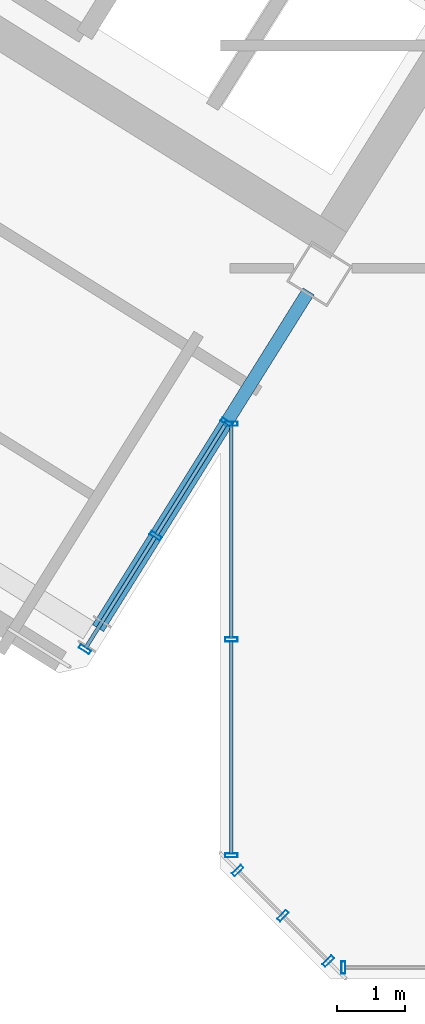
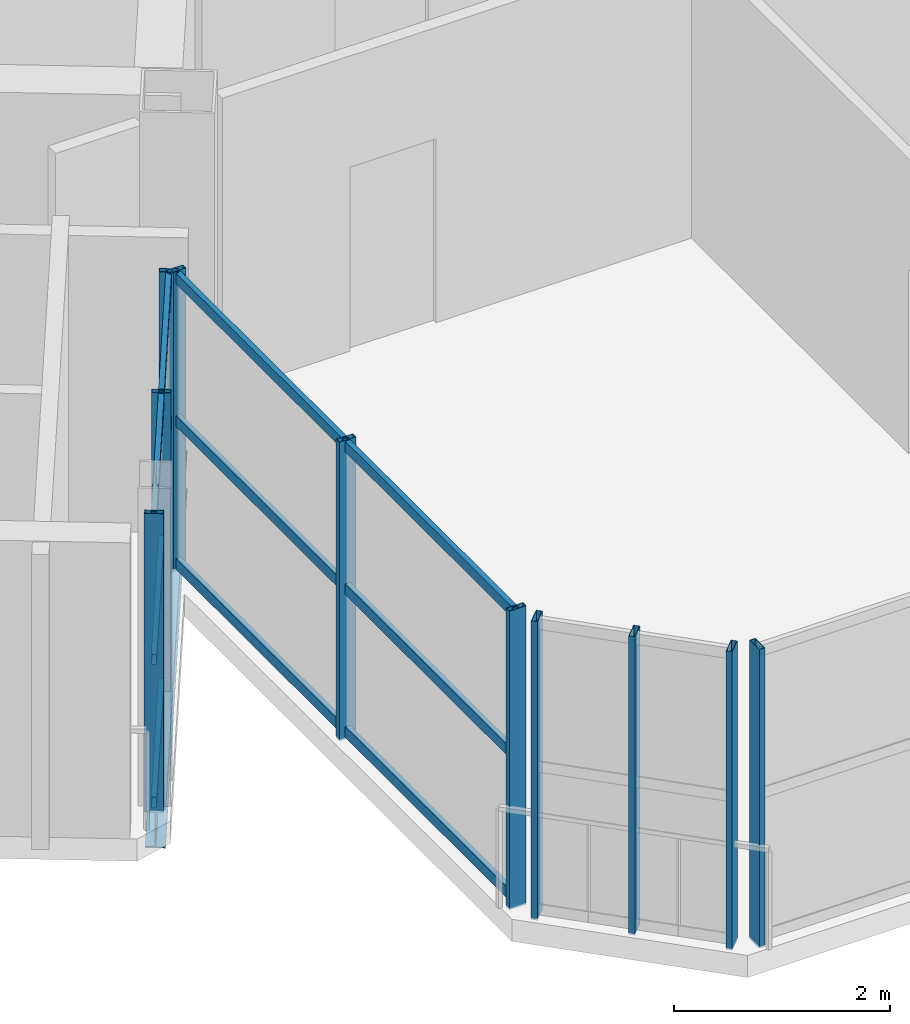
# One storey, part 3 of 14: 22 members, 1 beam, 4 elements without a shape of their own.
"""IFC4 building model written with IfcOpenShell, lengths in metres."""

import ifcopenshell
import ifcopenshell.guid

model = None  # the IFC model being written
_history = None  # IfcOwnerHistory: only IFC2X3 demands one
_inside = {}  # id of a spatial element -> (the spatial element, [elements in it])
_under = {}  # id of a project, library or spatial element -> (it, [spatial elements below it])
_declared = {}  # id of a project -> (the project, [libraries it declares])
_typed = {}  # id of a type object -> (the type object, [elements of that type])
_made_of = {}  # id of a material, layer set ... -> (it, [elements and type objects made of it])


def new_model(schema):
    """Start an empty IFC model of exactly this schema.

    Asked for "IFC4X3", IfcOpenShell would pick the latest addendum, in which some entities
    have other attributes; the version numbers below select the first issue.
    IFC2X3 requires an IfcOwnerHistory on every rooted entity: one is made here for all.
    """
    global model, _history
    if schema == "IFC4X3":
        model = ifcopenshell.file(schema_version=(4, 3, 0, 0))
    else:
        model = ifcopenshell.file(schema=schema)
    _inside.clear()
    _under.clear()
    _declared.clear()
    _typed.clear()
    _made_of.clear()
    _history = None
    if model.schema == "IFC2X3":
        org = make("IfcOrganization", Name="unknown")
        user = make(
            "IfcPersonAndOrganization",
            ThePerson=make("IfcPerson", FamilyName="unknown"),
            TheOrganization=org,
        )
        app = make(
            "IfcApplication",
            ApplicationDeveloper=org,
            Version="unknown",
            ApplicationFullName="unknown",
            ApplicationIdentifier="unknown",
        )
        _history = make(
            "IfcOwnerHistory",
            OwningUser=user,
            OwningApplication=app,
            ChangeAction="ADDED",
            CreationDate=0,
        )
    return model


def make(cls, **values):
    """One entity of the class cls with the attributes given. An attribute that is None is left unset."""
    return model.create_entity(
        cls, **{name: value for name, value in values.items() if value is not None}
    )


def rooted(cls, **values):
    """An entity with a GlobalId (a new one), such as an element, a storey or a relation."""
    return make(cls, GlobalId=ifcopenshell.guid.new(), OwnerHistory=_history, **values)


def si_unit(unit_type, name, prefix=None):
    """IfcSIUnit, for example si_unit("LENGTHUNIT", "METRE", prefix="MILLI")."""
    return make("IfcSIUnit", UnitType=unit_type, Prefix=prefix, Name=name)


def assignment(units):
    """IfcUnitAssignment: the units of a project."""
    return None if units is None else make("IfcUnitAssignment", Units=units)


def point(xyz):
    """IfcCartesianPoint."""
    return None if xyz is None else make("IfcCartesianPoint", Coordinates=xyz)


def direction(xyz):
    """IfcDirection."""
    return None if xyz is None else make("IfcDirection", DirectionRatios=xyz)


def frame(location, z_axis=None, x_axis=None):
    """IfcAxis2Placement3D, a coordinate frame: its origin and axes. An axis left out is left unset."""
    return make(
        "IfcAxis2Placement3D",
        Location=point(location),
        Axis=direction(z_axis),
        RefDirection=direction(x_axis),
    )


def frame_2d(location, x_axis=None):
    """IfcAxis2Placement2D, a coordinate frame in the plane: its origin and x axis."""
    return make(
        "IfcAxis2Placement2D", Location=point(location), RefDirection=direction(x_axis)
    )


def origin():
    """The frame at (0, 0, 0) with its axes left unset."""
    return frame((0.0, 0.0, 0.0))


def origin_2d():
    """The frame at (0, 0) in the plane with its x axis left unset."""
    return frame_2d((0.0, 0.0))


def place(relative_to, where):
    """IfcLocalPlacement: puts the frame where relative to a parent placement (None: the world)."""
    return make(
        "IfcLocalPlacement", PlacementRelTo=relative_to, RelativePlacement=where
    )


def context(
    kind, dimensions, precision=None, world=None, true_north=None, identifier=None
):
    """IfcGeometricRepresentationContext, for example the 3D "Model" context."""
    return make(
        "IfcGeometricRepresentationContext",
        ContextIdentifier=identifier,
        ContextType=kind,
        CoordinateSpaceDimension=dimensions,
        Precision=precision,
        WorldCoordinateSystem=world,
        TrueNorth=true_north,
    )


def subcontext(parent, identifier, kind, view, scale=None):
    """IfcGeometricRepresentationSubContext, for example "Body" below "Model"."""
    return make(
        "IfcGeometricRepresentationSubContext",
        ContextIdentifier=identifier,
        ContextType=kind,
        ParentContext=parent,
        TargetScale=scale,
        TargetView=view,
    )


def project(units=None, contexts=None):
    """IfcProject with its units and contexts."""
    return rooted(
        "IfcProject",
        Name="project",
        RepresentationContexts=contexts,
        UnitsInContext=assignment(units),
    )


def spatial(cls, under=None, at=None, **own):
    """A site, building, storey or space (cls), placed at a placement, below another one or the project."""
    s = rooted(cls, ObjectPlacement=at, **own)
    if under is not None:
        _under.setdefault(under.id(), (under, []))[1].append(s)
    return s


def profile(cls, at=None, kind="AREA", **sizes):
    """A parametric profile (cls). Its sizes go by their IFC names, for example OverallWidth=200.0."""
    return make(cls, ProfileType=kind, Position=at, **sizes)


def hollow_rectangle(**sizes):
    """IfcRectangleHollowProfileDef."""
    return profile("IfcRectangleHollowProfileDef", **sizes)


def i_section(**sizes):
    """IfcIShapeProfileDef."""
    return profile("IfcIShapeProfileDef", **sizes)


def extrude(swept, where, along, depth):
    """IfcExtrudedAreaSolid: the profile swept, set in the frame where, extruded along a direction by depth."""
    return make(
        "IfcExtrudedAreaSolid",
        SweptArea=swept,
        Position=where,
        ExtrudedDirection=direction(along),
        Depth=depth,
    )


def shape(context_of_items, identifier, shape_type, items):
    """IfcShapeRepresentation: the items that make up one representation, for example the "Body"."""
    return make(
        "IfcShapeRepresentation",
        ContextOfItems=context_of_items,
        RepresentationIdentifier=identifier,
        RepresentationType=shape_type,
        Items=items,
    )


def source(mapping_origin, context_of_items, identifier, shape_type, items):
    """IfcRepresentationMap: a shape defined once, which mapped items show again and again."""
    return make(
        "IfcRepresentationMap",
        MappingOrigin=mapping_origin,
        MappedRepresentation=shape(context_of_items, identifier, shape_type, items),
    )


def transform(
    local_origin,
    x_axis=None,
    y_axis=None,
    z_axis=None,
    scale=None,
    scale2=None,
    scale3=None,
    uniform=True,
):
    """IfcCartesianTransformationOperator3D, or its non-uniform kind. x_axis, y_axis, z_axis: its Axis1, 2, 3."""
    if uniform:
        return make(
            "IfcCartesianTransformationOperator3D",
            Axis1=direction(x_axis),
            Axis2=direction(y_axis),
            LocalOrigin=point(local_origin),
            Scale=scale,
            Axis3=direction(z_axis),
        )
    return make(
        "IfcCartesianTransformationOperator3DnonUniform",
        Axis1=direction(x_axis),
        Axis2=direction(y_axis),
        LocalOrigin=point(local_origin),
        Scale=scale,
        Axis3=direction(z_axis),
        Scale2=scale2,
        Scale3=scale3,
    )


def mapped(mapping_source, mapping_target):
    """IfcMappedItem: shows the shape of a source again, moved by a transform."""
    return make(
        "IfcMappedItem", MappingSource=mapping_source, MappingTarget=mapping_target
    )


def material(Name=None, Category=None):
    """IfcMaterial."""
    return make("IfcMaterial", Name=Name, Category=Category)


def material_profile(
    of_material, cross_section, Name=None, Category=None, Priority=None
):
    """IfcMaterialProfile: a cross section and its material."""
    return make(
        "IfcMaterialProfile",
        Name=Name,
        Material=of_material,
        Profile=cross_section,
        Priority=Priority,
        Category=Category,
    )


def profile_set(profiles, Name=None, composite=None):
    """IfcMaterialProfileSet."""
    return make(
        "IfcMaterialProfileSet",
        Name=Name,
        MaterialProfiles=profiles,
        CompositeProfile=composite,
    )


def made_of(thing, what):
    """Note that an element or type object is made of a material, layer set ...; save() writes the relation."""
    if what is not None:
        _made_of.setdefault(what.id(), (what, []))[1].append(thing)
    return thing


def type_object(cls, material=None, **own):
    """A type object (cls), such as IfcWallType, which elements share."""
    return made_of(rooted(cls, **own), material)


def element(
    cls,
    number,
    at=None,
    inside=None,
    cuts=None,
    type_object=None,
    material=None,
    context=None,
    identifier="Body",
    shape_type=None,
    held_by="IfcProductDefinitionShape",
    body=None,
    shapes=None,
    **own,
):
    """One element of the class cls, such as IfcWall. Its Tag is "e" and its number.

    at: its placement. inside: the storey or other place that contains it. cuts: it is an
    opening in that element (IfcRelVoidsElement). A single representation is given by context,
    identifier, shape_type and body (its items); several are given by shapes. held_by: the class
    of the entity that holds the representations. save() writes the other relations.
    """
    e = rooted(cls, Tag="e%d" % number, ObjectPlacement=at, **own)
    if body is not None:
        shapes = [shape(context, identifier, shape_type, body)]
    if shapes is not None:
        e.Representation = make(held_by, Representations=shapes)
    if inside is not None:
        _inside.setdefault(inside.id(), (inside, []))[1].append(e)
    if cuts is not None:
        rooted(
            "IfcRelVoidsElement", RelatingBuildingElement=cuts, RelatedOpeningElement=e
        )
    if type_object is not None:
        _typed.setdefault(type_object.id(), (type_object, []))[1].append(e)
    return made_of(e, material)


def aggregate(whole, parts):
    """IfcRelAggregates: a whole, such as a stair, and the parts it consists of."""
    return rooted("IfcRelAggregates", RelatingObject=whole, RelatedObjects=parts)


def save(model, path):
    """Write the relations noted so far, then the file.

    IfcRelAggregates (storeys below a building ...), IfcRelContainedInSpatialStructure (elements
    in a storey), IfcRelDefinesByType, IfcRelAssociatesMaterial and IfcRelDeclares: one each for
    every whole, place, type object, material and project.
    """
    for whole, parts in _under.values():
        aggregate(whole, parts)
    for where, things in _inside.values():
        rooted(
            "IfcRelContainedInSpatialStructure",
            RelatedElements=things,
            RelatingStructure=where,
        )
    for kind, things in _typed.values():
        rooted("IfcRelDefinesByType", RelatedObjects=things, RelatingType=kind)
    for what, things in _made_of.values():
        rooted("IfcRelAssociatesMaterial", RelatedObjects=things, RelatingMaterial=what)
    for by, libraries in _declared.values():
        rooted("IfcRelDeclares", RelatingContext=by, RelatedDefinitions=libraries)
    model.write(path)


model = new_model("IFC4")

# Units and contexts
model_context = context("Model", 3, precision=1e-05, world=origin(), true_north=direction((0.0, 1.0)))
body_context = subcontext(model_context, "Body", "Model", "MODEL_VIEW")
ifc_project = project(units=[si_unit("LENGTHUNIT", "METRE"), si_unit("AREAUNIT", "SQUARE_METRE"), si_unit("VOLUMEUNIT", "CUBIC_METRE"), si_unit("PLANEANGLEUNIT", "RADIAN"), si_unit("MASSUNIT", "GRAM", prefix="KILO")], contexts=[model_context])

# Site, building, storey
site_placement = place(None, origin())
site = spatial("IfcSite", under=ifc_project, at=site_placement, CompositionType="ELEMENT")
building_placement = place(site_placement, origin())
building = spatial("IfcBuilding", under=site, at=building_placement, Name="Tlacorven Tower", CompositionType="ELEMENT")
storey_placement = place(building_placement, frame((0.0, 0.0, 273.60009765625)))
storey = spatial("IfcBuildingStorey", under=building, at=storey_placement, Name="L69", CompositionType="ELEMENT", Elevation=273.60009765625)

# Beam
ifc_material_1 = material(Name="Steel S355J2", Category="steel")
ifc_material_profile_1 = material_profile(ifc_material_1, i_section(OverallWidth=0.18994140625, OverallDepth=0.449951171875, WebThickness=0.009521484375, FlangeThickness=0.0146484375, at=origin_2d()), Name="IPE 450")
ifc_profile_set_1 = profile_set([ifc_material_profile_1], Name="Steel S355J2")
beam_type = type_object("IfcBeamType", Name="BM-TWR-450", PredefinedType="BEAM", material=ifc_profile_set_1)
shared_shape_1 = source(origin(), body_context, "Body", "SweptSolid", [
    extrude(i_section(OverallWidth=0.18994140625, OverallDepth=0.449951171875, WebThickness=0.009521484375, FlangeThickness=0.0146484375, at=origin_2d()), origin(), (0.0, 0.0, 1.0), 5.800048828125),
])
beam_placement = place(storey_placement, frame((32.88720703125, 11.83251953125, -0.47509765625), z_axis=(-0.529911912967, -0.848052689693, 0.0), x_axis=(0.848052689693, -0.529911912967, 0.0)))
element("IfcBeam", 1, at=beam_placement, inside=storey, type_object=beam_type, Name="L69 beam BM-L69-WT1-2", PredefinedType="BEAM", context=body_context, shape_type="MappedRepresentation", body=[
    mapped(shared_shape_1, transform((0.0, 0.0, 0.0), scale=1.0)),
])

# Curtain wall, member
ifc_material_2 = material(Name="Dark solar low-E double glazing in aluminium frame", Category="aluminium")
curtain_wall_type = type_object("IfcCurtainWallType", Name="CW-TWR-HIGH", PredefinedType="USERDEFINED", material=ifc_material_2)
curtain_wall_1_placement = place(storey_placement, origin())
curtain_wall_1 = element("IfcCurtainWall", 2, at=curtain_wall_1_placement, inside=storey, type_object=curtain_wall_type, Name="L69 CW-TWR-HIGH Curtain Wall 319", ObjectType="UNITISED CURTAIN WALL", PredefinedType="USERDEFINED")
ifc_material_3 = material(Name="Aluminium 6063-T6 anodised", Category="aluminium")
ifc_material_profile_2 = material_profile(ifc_material_3, hollow_rectangle(XDim=0.06005859375, YDim=0.179931640625, WallThickness=0.00390625, at=origin_2d()), Name="ALU MULLION 60X180")
ifc_profile_set_2 = profile_set([ifc_material_profile_2], Name="Aluminium 6063-T6 anodised")
member_type_1 = type_object("IfcMemberType", Name="CWM-03", PredefinedType="MULLION", material=ifc_profile_set_2)
shared_shape_2 = source(origin(), body_context, "Body", "SweptSolid", [
    extrude(hollow_rectangle(XDim=0.06005859375, YDim=0.179931640625, WallThickness=0.00390625, at=origin_2d()), origin(), (0.0, 0.0, 1.0), 3.3798828125),
])
member_1_placement = place(storey_placement, frame((33.396240234375, 1.9599609375, -0.02001953125), z_axis=(0.0, 0.0, 1.0), x_axis=(-1.0, 0.0, 0.0)))
member_1 = element("IfcMember", 3, at=member_1_placement, type_object=member_type_1, Name="CW-L69-319 Mullion 4", PredefinedType="MULLION", context=body_context, shape_type="MappedRepresentation", body=[
    mapped(shared_shape_2, transform((0.0, 0.0, 0.0), scale=1.0)),
])
aggregate(curtain_wall_1, [member_1])

# Curtain wall, members
curtain_wall_2_placement = place(storey_placement, origin())
curtain_wall_2 = element("IfcCurtainWall", 4, at=curtain_wall_2_placement, inside=storey, type_object=curtain_wall_type, Name="L69 CW-TWR-HIGH Curtain Wall 320", ObjectType="UNITISED CURTAIN WALL", PredefinedType="USERDEFINED")
member_2_placement = place(storey_placement, frame((33.17431640625, 2.052001953125, -0.02001953125), z_axis=(0.0, 0.0, 1.0), x_axis=(-0.707106781187, 0.707106781187, 0.0)))
member_2 = element("IfcMember", 5, at=member_2_placement, type_object=member_type_1, Name="CW-L69-320 Mullion 1", PredefinedType="MULLION", context=body_context, shape_type="MappedRepresentation", body=[
    mapped(shared_shape_2, transform((0.0, 0.0, 0.0), scale=1.0)),
])
member_3_placement = place(storey_placement, frame((32.51318359375, 2.713134765625, -0.02001953125), z_axis=(0.0, 0.0, 1.0), x_axis=(-0.707106781187, 0.707106781187, 0.0)))
member_3 = element("IfcMember", 6, at=member_3_placement, type_object=member_type_1, Name="CW-L69-320 Mullion 2", PredefinedType="MULLION", context=body_context, shape_type="MappedRepresentation", body=[
    mapped(shared_shape_2, transform((0.0, 0.0, 0.0), scale=1.0)),
])
member_4_placement = place(storey_placement, frame((31.851806640625, 3.374267578125, -0.02001953125), z_axis=(0.0, 0.0, 1.0), x_axis=(-0.707106781187, 0.707106781187, 0.0)))
member_4 = element("IfcMember", 7, at=member_4_placement, type_object=member_type_1, Name="CW-L69-320 Mullion 3", PredefinedType="MULLION", context=body_context, shape_type="MappedRepresentation", body=[
    mapped(shared_shape_2, transform((0.0, 0.0, 0.0), scale=1.0)),
])
aggregate(curtain_wall_2, [member_2, member_3, member_4])

curtain_wall_3_placement = place(storey_placement, origin())
curtain_wall_3 = element("IfcCurtainWall", 8, at=curtain_wall_3_placement, inside=storey, type_object=curtain_wall_type, Name="L69 CW-TWR-HIGH Curtain Wall 321", ObjectType="UNITISED CURTAIN WALL", PredefinedType="USERDEFINED")
member_5_placement = place(storey_placement, frame((31.760009765625, 3.59619140625, -0.02001953125), z_axis=(0.0, 0.0, 1.0), x_axis=(0.0, 1.0, 0.0)))
member_5 = element("IfcMember", 9, at=member_5_placement, type_object=member_type_1, Name="CW-L69-321 Mullion 1", PredefinedType="MULLION", context=body_context, shape_type="MappedRepresentation", body=[
    mapped(shared_shape_2, transform((0.0, 0.0, 0.0), scale=1.0)),
])
member_6_placement = place(storey_placement, frame((31.760009765625, 6.74755859375, -0.02001953125), z_axis=(0.0, 0.0, 1.0), x_axis=(0.0, 1.0, 0.0)))
member_6 = element("IfcMember", 10, at=member_6_placement, type_object=member_type_1, Name="CW-L69-321 Mullion 2", PredefinedType="MULLION", context=body_context, shape_type="MappedRepresentation", body=[
    mapped(shared_shape_2, transform((0.0, 0.0, 0.0), scale=1.0)),
])
member_7_placement = place(storey_placement, frame((31.760009765625, 9.898681640625, -0.02001953125), z_axis=(0.0, 0.0, 1.0), x_axis=(0.0, 1.0, 0.0)))
member_7 = element("IfcMember", 11, at=member_7_placement, type_object=member_type_1, Name="CW-L69-321 Mullion 3", PredefinedType="MULLION", context=body_context, shape_type="MappedRepresentation", body=[
    mapped(shared_shape_2, transform((0.0, 0.0, 0.0), scale=1.0)),
])

curtain_wall_4_placement = place(storey_placement, origin())
curtain_wall_4 = element("IfcCurtainWall", 12, at=curtain_wall_4_placement, inside=storey, type_object=curtain_wall_type, Name="L69 CW-TWR-HIGH Curtain Wall 322", ObjectType="UNITISED CURTAIN WALL", PredefinedType="USERDEFINED")
member_8_placement = place(storey_placement, frame((31.691162109375, 9.91845703125, -0.02001953125), z_axis=(0.0, 0.0, 1.0), x_axis=(-0.529918710919, -0.848048441905, 0.0)))
member_8 = element("IfcMember", 13, at=member_8_placement, type_object=member_type_1, Name="CW-L69-322 Mullion 1", PredefinedType="MULLION", context=body_context, shape_type="MappedRepresentation", body=[
    mapped(shared_shape_2, transform((0.0, 0.0, 0.0), scale=1.0)),
])
member_9_placement = place(storey_placement, frame((30.656005859375, 8.261962890625, -0.02001953125), z_axis=(0.0, 0.0, 1.0), x_axis=(-0.529918710919, -0.848048441905, 0.0)))
member_9 = element("IfcMember", 14, at=member_9_placement, type_object=member_type_1, Name="CW-L69-322 Mullion 2", PredefinedType="MULLION", context=body_context, shape_type="MappedRepresentation", body=[
    mapped(shared_shape_2, transform((0.0, 0.0, 0.0), scale=1.0)),
])
member_10_placement = place(storey_placement, frame((29.620849609375, 6.605224609375, -0.02001953125), z_axis=(0.0, 0.0, 1.0), x_axis=(-0.529918710919, -0.848048441905, 0.0)))
member_10 = element("IfcMember", 15, at=member_10_placement, type_object=member_type_1, Name="CW-L69-322 Mullion 3", PredefinedType="MULLION", context=body_context, shape_type="MappedRepresentation", body=[
    mapped(shared_shape_2, transform((0.0, 0.0, 0.0), scale=1.0)),
])

# Member
ifc_material_profile_3 = material_profile(ifc_material_3, hollow_rectangle(XDim=0.054931640625, YDim=0.1201171875, WallThickness=0.00341796875, at=origin_2d()), Name="ALU TRANSOM 55X120")
ifc_profile_set_3 = profile_set([ifc_material_profile_3], Name="Aluminium 6063-T6 anodised")
member_type_2 = type_object("IfcMemberType", Name="CWT-03", PredefinedType="USERDEFINED", material=ifc_profile_set_3)
shared_shape_3 = source(origin(), body_context, "Body", "SweptSolid", [
    extrude(hollow_rectangle(XDim=0.054931640625, YDim=0.1201171875, WallThickness=0.00341796875, at=origin_2d()), origin(), (0.0, 0.0, 1.0), 3.115234375),
])
member_11_placement = place(storey_placement, frame((31.760009765625, 3.6142578125, 0.059814453125), z_axis=(0.0, 1.0, 0.0), x_axis=(-1.0, 0.0, 0.0)))
member_11 = element("IfcMember", 16, at=member_11_placement, type_object=member_type_2, Name="CW-L69-321 Transom 1", ObjectType="TRANSOM", PredefinedType="USERDEFINED", context=body_context, shape_type="MappedRepresentation", body=[
    mapped(shared_shape_3, transform((0.0, 0.0, 0.0), scale=1.0)),
])

member_12_placement = place(storey_placement, frame((31.760009765625, 3.6142578125, 1.6748046875), z_axis=(0.0, 1.0, 0.0), x_axis=(-1.0, 0.0, 0.0)))
member_12 = element("IfcMember", 17, at=member_12_placement, type_object=member_type_2, Name="CW-L69-321 Transom 2", ObjectType="TRANSOM", PredefinedType="USERDEFINED", context=body_context, shape_type="MappedRepresentation", body=[
    mapped(shared_shape_3, transform((0.0, 0.0, 0.0), scale=1.0)),
])

member_13_placement = place(storey_placement, frame((31.760009765625, 3.6142578125, 3.289794921875), z_axis=(0.0, 1.0, 0.0), x_axis=(-1.0, 0.0, 0.0)))
member_13 = element("IfcMember", 18, at=member_13_placement, type_object=member_type_2, Name="CW-L69-321 Transom 3", ObjectType="TRANSOM", PredefinedType="USERDEFINED", context=body_context, shape_type="MappedRepresentation", body=[
    mapped(shared_shape_3, transform((0.0, 0.0, 0.0), scale=1.0)),
])

member_14_placement = place(storey_placement, frame((31.760009765625, 6.765380859375, 0.059814453125), z_axis=(0.0, 1.0, 0.0), x_axis=(-1.0, 0.0, 0.0)))
member_14 = element("IfcMember", 19, at=member_14_placement, type_object=member_type_2, Name="CW-L69-321 Transom 4", ObjectType="TRANSOM", PredefinedType="USERDEFINED", context=body_context, shape_type="MappedRepresentation", body=[
    mapped(shared_shape_3, transform((0.0, 0.0, 0.0), scale=1.0)),
])

member_15_placement = place(storey_placement, frame((31.760009765625, 6.765380859375, 1.6748046875), z_axis=(0.0, 1.0, 0.0), x_axis=(-1.0, 0.0, 0.0)))
member_15 = element("IfcMember", 20, at=member_15_placement, type_object=member_type_2, Name="CW-L69-321 Transom 5", ObjectType="TRANSOM", PredefinedType="USERDEFINED", context=body_context, shape_type="MappedRepresentation", body=[
    mapped(shared_shape_3, transform((0.0, 0.0, 0.0), scale=1.0)),
])

member_16_placement = place(storey_placement, frame((31.760009765625, 6.765380859375, 3.289794921875), z_axis=(0.0, 1.0, 0.0), x_axis=(-1.0, 0.0, 0.0)))
member_16 = element("IfcMember", 21, at=member_16_placement, type_object=member_type_2, Name="CW-L69-321 Transom 6", ObjectType="TRANSOM", PredefinedType="USERDEFINED", context=body_context, shape_type="MappedRepresentation", body=[
    mapped(shared_shape_3, transform((0.0, 0.0, 0.0), scale=1.0)),
])

aggregate(curtain_wall_3, [member_5, member_6, member_7, member_11, member_12, member_13, member_14, member_15, member_16])

shared_shape_4 = source(origin(), body_context, "Body", "SweptSolid", [
    extrude(hollow_rectangle(XDim=0.054931640625, YDim=0.1201171875, WallThickness=0.00341796875, at=origin_2d()), origin(), (0.0, 0.0, 1.0), 1.91748046875),
])
member_17_placement = place(storey_placement, frame((31.681640625, 9.903076171875, 0.059814453125), z_axis=(-0.529953157166, -0.84802691656, 0.0), x_axis=(0.84802691656, -0.529953157166, 0.0)))
member_17 = element("IfcMember", 22, at=member_17_placement, type_object=member_type_2, Name="CW-L69-322 Transom 1", ObjectType="TRANSOM", PredefinedType="USERDEFINED", context=body_context, shape_type="MappedRepresentation", body=[
    mapped(shared_shape_4, transform((0.0, 0.0, 0.0), scale=1.0)),
])

member_18_placement = place(storey_placement, frame((31.681640625, 9.903076171875, 1.6748046875), z_axis=(-0.529953157166, -0.84802691656, 0.0), x_axis=(0.84802691656, -0.529953157166, 0.0)))
member_18 = element("IfcMember", 23, at=member_18_placement, type_object=member_type_2, Name="CW-L69-322 Transom 2", ObjectType="TRANSOM", PredefinedType="USERDEFINED", context=body_context, shape_type="MappedRepresentation", body=[
    mapped(shared_shape_4, transform((0.0, 0.0, 0.0), scale=1.0)),
])

member_19_placement = place(storey_placement, frame((31.681640625, 9.903076171875, 3.289794921875), z_axis=(-0.529953157166, -0.84802691656, 0.0), x_axis=(0.84802691656, -0.529953157166, 0.0)))
member_19 = element("IfcMember", 24, at=member_19_placement, type_object=member_type_2, Name="CW-L69-322 Transom 3", ObjectType="TRANSOM", PredefinedType="USERDEFINED", context=body_context, shape_type="MappedRepresentation", body=[
    mapped(shared_shape_4, transform((0.0, 0.0, 0.0), scale=1.0)),
])

member_20_placement = place(storey_placement, frame((30.646484375, 8.24658203125, 0.059814453125), z_axis=(-0.529953157166, -0.84802691656, 0.0), x_axis=(0.84802691656, -0.529953157166, 0.0)))
member_20 = element("IfcMember", 25, at=member_20_placement, type_object=member_type_2, Name="CW-L69-322 Transom 4", ObjectType="TRANSOM", PredefinedType="USERDEFINED", context=body_context, shape_type="MappedRepresentation", body=[
    mapped(shared_shape_4, transform((0.0, 0.0, 0.0), scale=1.0)),
])

member_21_placement = place(storey_placement, frame((30.646484375, 8.24658203125, 1.6748046875), z_axis=(-0.529953157166, -0.84802691656, 0.0), x_axis=(0.84802691656, -0.529953157166, 0.0)))
member_21 = element("IfcMember", 26, at=member_21_placement, type_object=member_type_2, Name="CW-L69-322 Transom 5", ObjectType="TRANSOM", PredefinedType="USERDEFINED", context=body_context, shape_type="MappedRepresentation", body=[
    mapped(shared_shape_4, transform((0.0, 0.0, 0.0), scale=1.0)),
])

member_22_placement = place(storey_placement, frame((30.646484375, 8.24658203125, 3.289794921875), z_axis=(-0.529953157166, -0.84802691656, 0.0), x_axis=(0.84802691656, -0.529953157166, 0.0)))
member_22 = element("IfcMember", 27, at=member_22_placement, type_object=member_type_2, Name="CW-L69-322 Transom 6", ObjectType="TRANSOM", PredefinedType="USERDEFINED", context=body_context, shape_type="MappedRepresentation", body=[
    mapped(shared_shape_4, transform((0.0, 0.0, 0.0), scale=1.0)),
])

aggregate(curtain_wall_4, [member_8, member_9, member_10, member_17, member_18, member_19, member_20, member_21, member_22])

save(model, "model.ifc")
